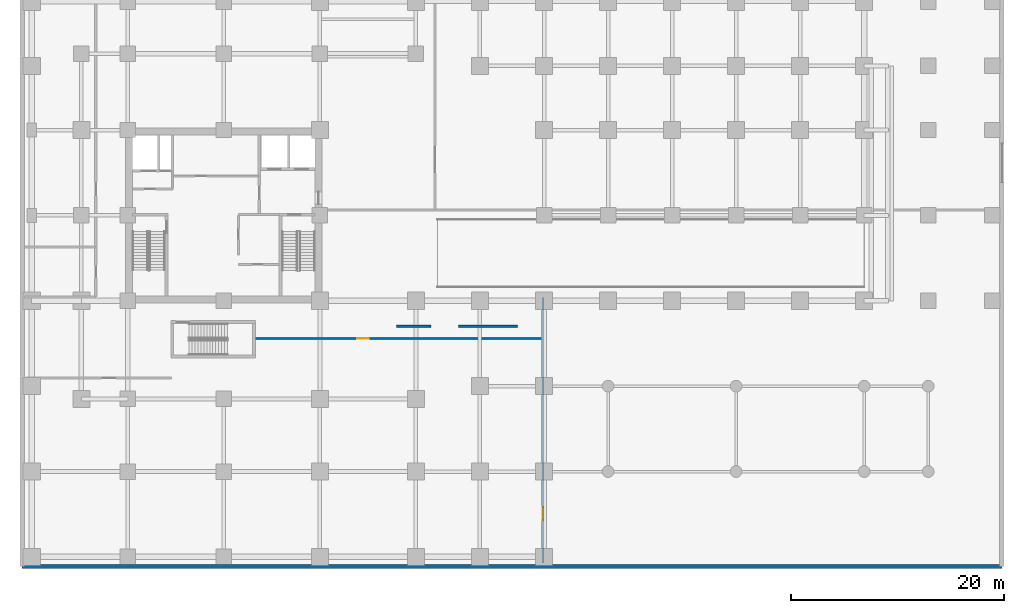
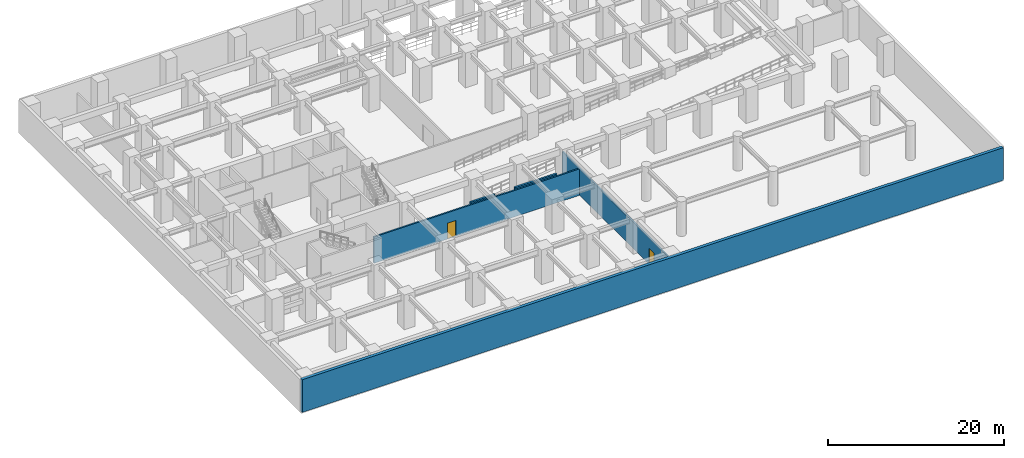
# One storey, part 5 of 9: 5 walls, 2 doors, 2 openings.
"""IFC4 building model written with IfcOpenShell, lengths in metres."""

from ifc_helpers import new_model, si_unit, direction, frame, frame_2d, origin, place, context, subcontext, project, spatial, rectangle, extrude, source, transform, mapped, material, layer, layer_set, type_object, element, fill, save


model = new_model("IFC4")

# Units and contexts
model_context = context("Model", 3, precision=1e-05, world=origin(), true_north=direction((0.0, 1.0)))
body_context = subcontext(model_context, "Body", "Model", "MODEL_VIEW")
ifc_project = project(units=[si_unit("LENGTHUNIT", "METRE"), si_unit("AREAUNIT", "SQUARE_METRE"), si_unit("VOLUMEUNIT", "CUBIC_METRE"), si_unit("PLANEANGLEUNIT", "RADIAN"), si_unit("MASSUNIT", "GRAM", prefix="KILO")], contexts=[model_context])

# Site, building, storey
site_placement = place(None, origin())
site = spatial("IfcSite", under=ifc_project, at=site_placement, CompositionType="ELEMENT")
building_placement = place(site_placement, origin())
building = spatial("IfcBuilding", under=site, at=building_placement, Name="Torre Montelarca", CompositionType="ELEMENT")
storey_placement = place(building_placement, frame((0.0, 0.0, -4.800048828125)))
storey = spatial("IfcBuildingStorey", under=building, at=storey_placement, Name="B1", CompositionType="ELEMENT", Elevation=-4.800048828125)

# Walls
ifc_material_1 = material(Name="Precast concrete C45/55", Category="concrete")
ifc_layer_1 = layer(ifc_material_1, 0.25, Name="Precast concrete C45/55", Category="concrete")
ifc_layer_set_1 = layer_set([ifc_layer_1], Name="Precast concrete C45/55")
wall_type_1 = type_object("IfcWallType", Name="EW-CONC-250", PredefinedType="SOLIDWALL", material=ifc_layer_set_1)
wall_1_placement = place(storey_placement, frame((34.199951171875, 21.60009765625, 0.0), z_axis=(0.0, 0.0, 1.0), x_axis=(1.0, 0.0, 0.0)))
element("IfcWall", 1, at=wall_1_placement, inside=storey, type_object=wall_type_1, Name="B1 Service Acoustic Plenum Wall 1", PredefinedType="SOLIDWALL", context=body_context, shape_type="SweptSolid", body=[
    extrude(rectangle(XDim=3.199951171875, YDim=0.25, at=frame_2d((1.60009765625, 0.0))), origin(), (0.0, 0.0, 1.0), 3.10009765625),
])
wall_2_placement = place(storey_placement, frame((40.0, 21.60009765625, 0.0), z_axis=(0.0, 0.0, 1.0), x_axis=(1.0, 0.0, 0.0)))
element("IfcWall", 2, at=wall_2_placement, inside=storey, type_object=wall_type_1, Name="B1 Dock Acoustic Plenum Wall 2", PredefinedType="SOLIDWALL", context=body_context, shape_type="SweptSolid", body=[
    extrude(rectangle(XDim=5.5, YDim=0.25, at=frame_2d((2.75, 0.0))), origin(), (0.0, 0.0, 1.0), 3.10009765625),
])
ifc_material_2 = material(Name="Concrete C40/50", Category="concrete")
ifc_layer_2 = layer(ifc_material_2, 0.39990234375, Name="Concrete C40/50", Category="concrete")
ifc_layer_set_2 = layer_set([ifc_layer_2], Name="Concrete C40/50")
wall_type_2 = type_object("IfcWallType", Name="EW-RET-400", PredefinedType="USERDEFINED", material=ifc_layer_set_2)
wall_3_placement = place(storey_placement, frame((-0.89990234375, -0.89990234375, 0.0), z_axis=(0.0, 0.0, 1.0), x_axis=(1.0, 0.0, 0.0)))
element("IfcWall", 3, at=wall_3_placement, inside=storey, type_object=wall_type_2, Name="B1 Perimeter Basement Retaining Wall 01", ObjectType="RETAINING WALL", PredefinedType="USERDEFINED", context=body_context, shape_type="SweptSolid", body=[
    extrude(rectangle(XDim=91.7998046875, YDim=0.39990234375, at=frame_2d((45.89990234375, 0.0))), origin(), (0.0, 0.0, 1.0), 4.52001953125),
])

# Wall, opening, door
ifc_material_3 = material(Name="Gypsum fireboard and rockwool on steel stud", Category="steel")
ifc_layer_3 = layer(ifc_material_3, 0.199951171875, Name="Gypsum fireboard and rockwool on steel stud", Category="steel")
ifc_layer_set_3 = layer_set([ifc_layer_3], Name="Gypsum fireboard and rockwool on steel stud")
wall_type_3 = type_object("IfcWallType", Name="PW-FIRE-200", PredefinedType="SOLIDWALL", material=ifc_layer_set_3)
wall_4_placement = place(storey_placement, frame((20.889892578125, 20.449951171875, 0.0), z_axis=(0.0, 0.0, 1.0), x_axis=(1.0, 0.0, 0.0)))
wall_4 = element("IfcWall", 4, at=wall_4_placement, inside=storey, type_object=wall_type_3, Name="B1 Interior Partition W-B1-P4", PredefinedType="SOLIDWALL", context=body_context, shape_type="SweptSolid", body=[
    extrude(rectangle(XDim=26.97021484375, YDim=0.199951171875, at=frame_2d((13.485107421875, 0.0))), origin(), (0.0, 0.0, 1.0), 3.649658203125),
])
opening_1_placement = place(wall_4_placement, frame((9.60009765625, 0.0, 0.0)))
opening_1 = element("IfcOpeningElement", 5, at=opening_1_placement, cuts=wall_4, Name="Opening FD-110", PredefinedType="OPENING", context=body_context, shape_type="SweptSolid", body=[
    extrude(rectangle(XDim=1.10009765625, YDim=2.199951171875, at=frame_2d((0.550048828125, 1.10009765625))), frame((0.0, 0.10986328125, 0.0), z_axis=(0.0, -1.0, 0.0), x_axis=(1.0, 0.0, 0.0)), (0.0, 0.0, 1.0), 0.219970703125),
])
ifc_material_4 = material(Name="Timber fire-rated suite door", Category="wood")
door_type_1 = type_object("IfcDoorType", Name="DR-FIRE-110", OperationType="NOTDEFINED", PredefinedType="DOOR", material=ifc_material_4)
shared_shape_1 = source(origin(), body_context, "Body", "SweptSolid", [
    extrude(rectangle(XDim=1.10009765625, YDim=2.199951171875, at=frame_2d((0.550048828125, 1.10009765625))), frame((0.0, 0.02490234375, 0.0), z_axis=(0.0, -1.0, 0.0), x_axis=(1.0, 0.0, 0.0)), (0.0, 0.0, 1.0), 0.050048828125),
])
door_1_placement = place(opening_1_placement, origin())
door_1 = element("IfcDoor", 6, at=door_1_placement, inside=storey, type_object=door_type_1, Name="B1 Interior Door 08", OperationType="SINGLE_SWING_LEFT", OverallHeight=2.199951171875, OverallWidth=1.10009765625, PredefinedType="DOOR", context=body_context, shape_type="MappedRepresentation", body=[
    mapped(shared_shape_1, transform((0.0, 0.0, 0.0), scale=1.0)),
])
fill(opening_1, door_1)

wall_5_placement = place(storey_placement, frame((47.89990234375, -0.56005859375, 0.0), z_axis=(0.0, 0.0, 1.0), x_axis=(0.0, 1.0, 0.0)))
wall_5 = element("IfcWall", 7, at=wall_5_placement, inside=storey, type_object=wall_type_3, Name="B1 Interior Partition W-B1-PSE", PredefinedType="SOLIDWALL", context=body_context, shape_type="SweptSolid", body=[
    extrude(rectangle(XDim=24.8701171875, YDim=0.199951171875, at=frame_2d((12.43505859375, 0.0))), origin(), (0.0, 0.0, 1.0), 3.655029296875),
])
opening_2_placement = place(wall_5_placement, frame((4.0, 0.0, 0.0)))
opening_2 = element("IfcOpeningElement", 8, at=opening_2_placement, cuts=wall_5, Name="Opening FD-120", PredefinedType="OPENING", context=body_context, shape_type="SweptSolid", body=[
    extrude(rectangle(XDim=1.199951171875, YDim=2.199951171875, at=frame_2d((0.60009765625, 1.10009765625))), frame((0.0, 0.10986328125, 0.0), z_axis=(0.0, -1.0, 0.0), x_axis=(1.0, 0.0, 0.0)), (0.0, 0.0, 1.0), 0.219970703125),
])
ifc_material_5 = material(Name="Galvanized steel fire door", Category="steel")
door_type_2 = type_object("IfcDoorType", Name="DR-FIRE-120", OperationType="NOTDEFINED", PredefinedType="DOOR", material=ifc_material_5)
shared_shape_2 = source(origin(), body_context, "Body", "SweptSolid", [
    extrude(rectangle(XDim=1.199951171875, YDim=2.199951171875, at=frame_2d((0.60009765625, 1.10009765625))), frame((0.0, 0.02490234375, 0.0), z_axis=(0.0, -1.0, 0.0), x_axis=(1.0, 0.0, 0.0)), (0.0, 0.0, 1.0), 0.050048828125),
])
door_2_placement = place(opening_2_placement, origin())
door_2 = element("IfcDoor", 9, at=door_2_placement, inside=storey, type_object=door_type_2, Name="B1 Interior Door 10", OperationType="SINGLE_SWING_LEFT", OverallHeight=2.199951171875, OverallWidth=1.199951171875, PredefinedType="DOOR", context=body_context, shape_type="MappedRepresentation", body=[
    mapped(shared_shape_2, transform((0.0, 0.0, 0.0), scale=1.0)),
])
fill(opening_2, door_2)

save(model, "model.ifc")
